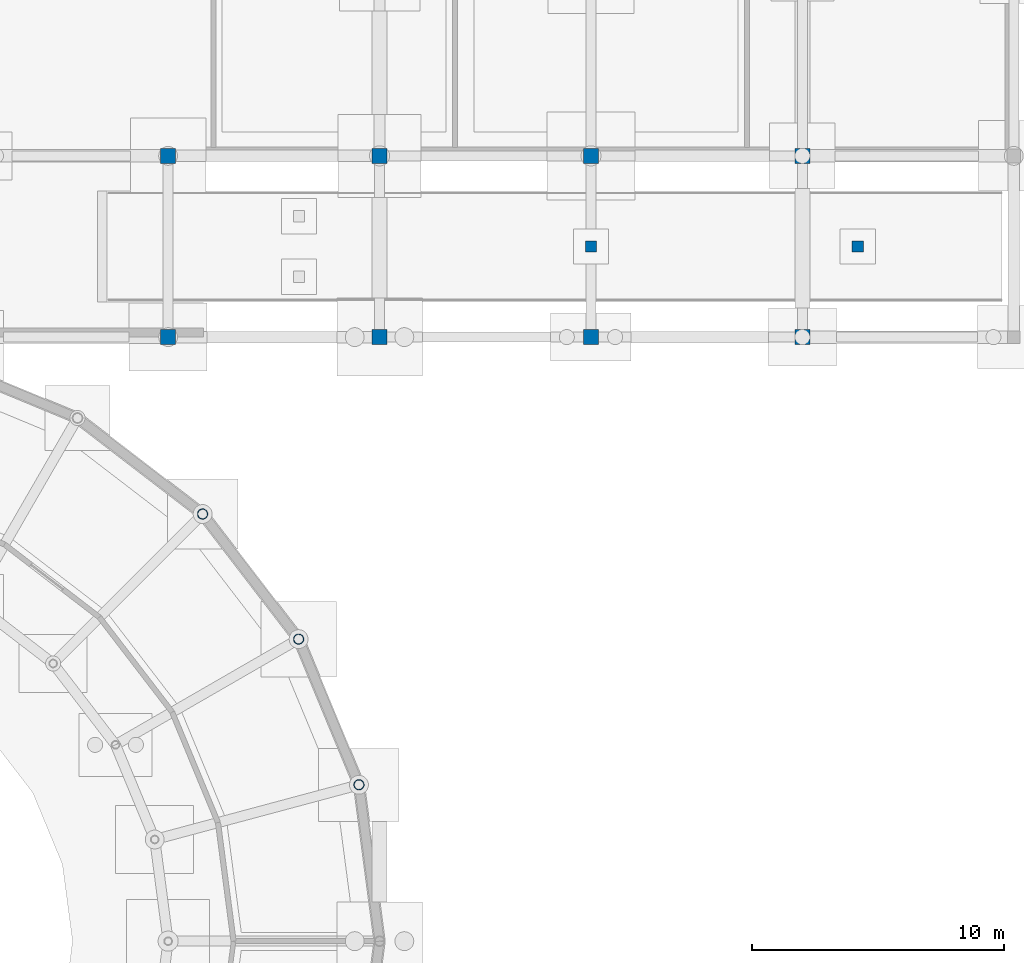
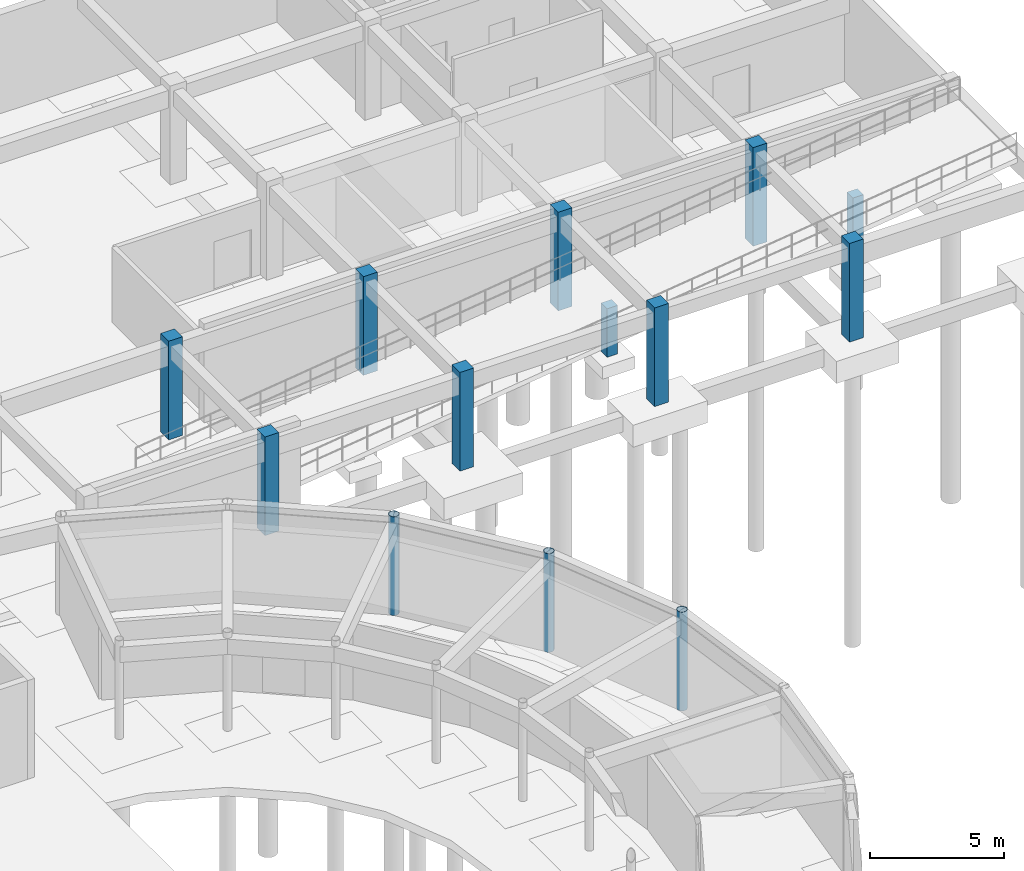
# One storey, part 20 of 43: 13 columns.
"""IFC4 building model written with IfcOpenShell, lengths in metres."""

from ifc_helpers import new_model, si_unit, derived_unit, direction, frame, origin, origin_2d, place, context, subcontext, project, spatial, rectangle, hollow_circle, extrude, material, material_profile, profile_set, type_object, element, save


model = new_model("IFC4")

# Units and contexts
model_context = context("Model", 3, precision=1e-05, world=origin(), true_north=direction((0.0, 1.0)))
body_context = subcontext(model_context, "Body", "Model", "MODEL_VIEW")
ifc_project = project(units=[si_unit("LENGTHUNIT", "METRE"), si_unit("AREAUNIT", "SQUARE_METRE"), si_unit("VOLUMEUNIT", "CUBIC_METRE"), si_unit("PLANEANGLEUNIT", "RADIAN"), si_unit("MASSUNIT", "GRAM", prefix="KILO"), derived_unit("THERMALTRANSMITTANCEUNIT", [(si_unit("POWERUNIT", "WATT"), 1), (si_unit("AREAUNIT", "SQUARE_METRE"), -1), (si_unit("THERMODYNAMICTEMPERATUREUNIT", "KELVIN"), -1)])], contexts=[model_context])

# Site, building, storey
site_placement = place(None, origin())
site = spatial("IfcSite", under=ifc_project, at=site_placement, CompositionType="ELEMENT")
building_placement = place(site_placement, origin())
building = spatial("IfcBuilding", under=site, at=building_placement, Name="Yasenodar Specialist Clinic", CompositionType="ELEMENT")
storey_placement = place(building_placement, frame((0.0, 0.0, -4.5)))
storey = spatial("IfcBuildingStorey", under=building, at=storey_placement, Name="B1", CompositionType="ELEMENT", Elevation=-4.5)

# Columns
ifc_material_1 = material(Name="Concrete C35/45", Category="concrete")
ifc_material_profile_1 = material_profile(ifc_material_1, rectangle(XDim=0.449951171875, YDim=0.449951171875, at=origin_2d()), Name="RC 450x450")
ifc_profile_set_1 = profile_set([ifc_material_profile_1], Name="Concrete C35/45")
column_type_1 = type_object("IfcColumnType", Name="COL-RC-450", PredefinedType="COLUMN", material=ifc_profile_set_1)
column_1_placement = place(storey_placement, frame((113.39990234375, 86.39990234375, 0.0), z_axis=(0.0, 0.0, 1.0), x_axis=(1.0, 0.0, 0.0)))
element("IfcColumn", 1, at=column_1_placement, inside=storey, type_object=column_type_1, Name="B1 Vehicle Ramp RMP-01 Support Pier 3", PredefinedType="COLUMN", context=body_context, shape_type="SweptSolid", body=[
    extrude(rectangle(XDim=0.449951171875, YDim=0.449951171875, at=origin_2d()), origin(), (0.0, 0.0, 1.0), 2.2080078125),
])
column_2_placement = place(storey_placement, frame((124.0, 86.39990234375, 0.0), z_axis=(0.0, 0.0, 1.0), x_axis=(1.0, 0.0, 0.0)))
element("IfcColumn", 2, at=column_2_placement, inside=storey, type_object=column_type_1, Name="B1 Vehicle Ramp RMP-01 Support Pier 4", PredefinedType="COLUMN", context=body_context, shape_type="SweptSolid", body=[
    extrude(rectangle(XDim=0.449951171875, YDim=0.449951171875, at=origin_2d()), origin(), (0.0, 0.0, 1.0), 3.550537109375),
])
ifc_material_profile_2 = material_profile(ifc_material_1, rectangle(XDim=0.60009765625, YDim=0.60009765625, at=origin_2d()), Name="RC 600x600")
ifc_profile_set_2 = profile_set([ifc_material_profile_2], Name="Concrete C35/45")
column_type_2 = type_object("IfcColumnType", Name="COL-RC-600", PredefinedType="COLUMN", material=ifc_profile_set_2)
for number, where, z_axis, x_axis, name in (
    (3, (96.60009765625, 82.800048828125, 0.0), (0.0, 0.0, 1.0), (1.0, 0.0, 0.0), "B1 Column V5-113"),
    (4, (96.60009765625, 90.0, 0.0), (0.0, 0.0, 1.0), (1.0, 0.0, 0.0), "B1 Column V5-114"),
    (5, (105.0, 82.800048828125, 0.0), (0.0, 0.0, 1.0), (1.0, 0.0, 0.0), "B1 Column V5-122"),
    (6, (105.0, 90.0, 0.0), (0.0, 0.0, 1.0), (1.0, 0.0, 0.0), "B1 Column V5-123"),
    (7, (113.39990234375, 82.800048828125, 0.0), (0.0, 0.0, 1.0), (1.0, 0.0, 0.0), "B1 Column V5-132"),
    (8, (113.39990234375, 90.0, 0.0), (0.0, 0.0, 1.0), (1.0, 0.0, 0.0), "B1 Column V5-133"),
    (9, (121.800048828125, 82.800048828125, 0.0), (0.0, 0.0, 1.0), (1.0, 0.0, 0.0), "B1 Column V5-141"),
    (10, (121.800048828125, 90.0, 0.0), (0.0, 0.0, 1.0), (1.0, 0.0, 0.0), "B1 Column V5-142"),
):
    element("IfcColumn", number, at=place(storey_placement, frame(where, z_axis=z_axis, x_axis=x_axis)), inside=storey, type_object=column_type_2, Name=name, PredefinedType="COLUMN", context=body_context, shape_type="SweptSolid", body=[
        extrude(rectangle(XDim=0.60009765625, YDim=0.60009765625, at=origin_2d()), origin(), (0.0, 0.0, 1.0), 4.5),
    ])
ifc_material_2 = material(Name="Steel S355", Category="steel")
ifc_material_profile_3 = material_profile(ifc_material_2, hollow_circle(Radius=0.203125, WallThickness=0.01611328125, at=origin_2d()), Name="CHS 406.4x16")
ifc_profile_set_3 = profile_set([ifc_material_profile_3], Name="Steel S355")
column_type_3 = type_object("IfcColumnType", Name="COL-ST-CHS406", PredefinedType="COLUMN", material=ifc_profile_set_3)
for number, where, z_axis, x_axis, name in (
    (11, (104.18212890625, 65.01171875, 0.0), (0.0, 0.0, 1.0), (1.0, 0.0, 0.0), "B1 Drum V1 Outer Column 02"),
    (12, (101.78466796875, 70.800048828125, 0.0), (0.0, 0.0, 1.0), (1.0, 0.0, 0.0), "B1 Drum V1 Outer Column 03"),
    (13, (97.970703125, 75.7705078125, 0.0), (0.0, 0.0, 1.0), (1.0, 0.0, 0.0), "B1 Drum V1 Outer Column 04"),
):
    element("IfcColumn", number, at=place(storey_placement, frame(where, z_axis=z_axis, x_axis=x_axis)), inside=storey, type_object=column_type_3, Name=name, PredefinedType="COLUMN", context=body_context, shape_type="SweptSolid", body=[
        extrude(hollow_circle(Radius=0.203125, WallThickness=0.01611328125, at=origin_2d()), origin(), (0.0, 0.0, 1.0), 4.5),
    ])

save(model, "model.ifc")
